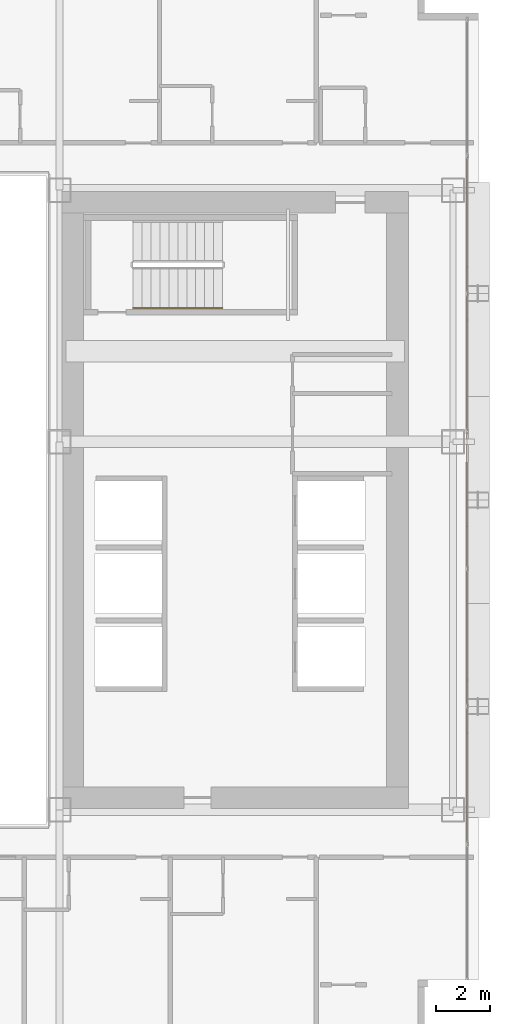
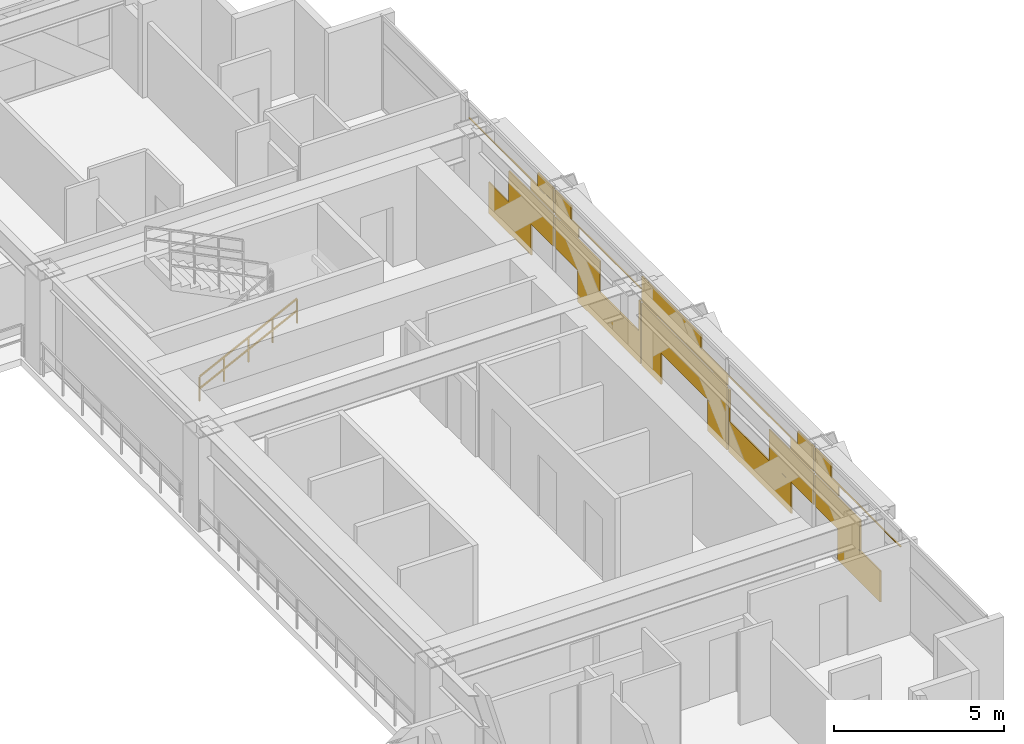
# One storey, part 34 of 35: 1 covering, 1 railing.
"""IFC4 building model written with IfcOpenShell, lengths in metres."""

from ifc_helpers import new_model, si_unit, direction, frame, origin, origin_2d, place, context, subcontext, project, spatial, rectangle, extrude, material, layer, layer_set, type_object, element, save


model = new_model("IFC4")

# Units and contexts
model_context = context("Model", 3, precision=1e-05, world=origin(), true_north=direction((0.0, 1.0)))
body_context = subcontext(model_context, "Body", "Model", "MODEL_VIEW")
ifc_project = project(units=[si_unit("LENGTHUNIT", "METRE"), si_unit("AREAUNIT", "SQUARE_METRE"), si_unit("VOLUMEUNIT", "CUBIC_METRE"), si_unit("PLANEANGLEUNIT", "RADIAN"), si_unit("MASSUNIT", "GRAM", prefix="KILO")], contexts=[model_context])

# Site, building, storey
site_placement = place(None, origin())
site = spatial("IfcSite", under=ifc_project, at=site_placement, CompositionType="ELEMENT")
building_placement = place(site_placement, origin())
building = spatial("IfcBuilding", under=site, at=building_placement, Name="Ocotamira Hotel", CompositionType="ELEMENT")
storey_placement = place(building_placement, frame((0.0, 0.0, 63.60009765625)))
storey = spatial("IfcBuildingStorey", under=building, at=storey_placement, Name="L15", CompositionType="ELEMENT", Elevation=63.60009765625)

# Covering
ifc_material_1 = material(Name="Insulated pale-metal aluminium spandrel panel", Category="aluminium")
ifc_layer = layer(ifc_material_1, 0.044921875)
ifc_layer_set = layer_set([ifc_layer], Name="Insulated pale-metal aluminium spandrel panel")
covering_type = type_object("IfcCoveringType", Name="COV-INFILL-45", PredefinedType="CLADDING", material=ifc_layer_set)
covering_placement = place(storey_placement, origin())
element("IfcCovering", 1, at=covering_placement, inside=storey, type_object=covering_type, Name="L15 Curtain Wall Infill CW-2 CW-L15-E", PredefinedType="CLADDING", context=body_context, shape_type="SweptSolid", body=[
    extrude(rectangle(XDim=2.49658203125, YDim=0.044921875, at=origin_2d()), frame((55.580078125, 15.752685546875, 0.0751953125), z_axis=(0.0, 0.0, 1.0), x_axis=(0.0, 1.0, 0.0)), (0.0, 0.0, 1.0), 1.117919921875),
    extrude(rectangle(XDim=2.640625, YDim=0.044921875, at=origin_2d()), frame((55.580078125, 17.010498046875, 1.194091796875), z_axis=(0.0, 0.0, 1.0), x_axis=(0.0, 1.0, 0.0)), (0.0, 0.0, 1.0), 1.11767578125),
    extrude(rectangle(XDim=5.004638671875, YDim=0.044921875, at=origin_2d()), frame((55.580078125, 15.82861328125, 2.755859375), z_axis=(0.0, 0.0, 1.0), x_axis=(0.0, 1.0, 0.0)), (0.0, 0.0, 1.0), 0.033203125),
    extrude(rectangle(XDim=1.375, YDim=0.044921875, at=origin_2d()), frame((55.580078125, 17.643310546875, 2.3876953125), z_axis=(0.0, 0.0, 1.0), x_axis=(0.0, 1.0, 0.0)), (0.0, 0.0, 1.0), 0.366943359375),
    extrude(rectangle(XDim=0.948486328125, YDim=0.044921875, at=origin_2d()), frame((55.580078125, 17.856689453125, 2.7900390625), z_axis=(0.0, 0.0, 1.0), x_axis=(0.0, 1.0, 0.0)), (0.0, 0.0, 1.0), 0.484130859375),
    extrude(rectangle(XDim=2.631103515625, YDim=0.044921875, at=origin_2d()), frame((55.580078125, 19.727294921875, 1.194091796875), z_axis=(0.0, 0.0, 1.0), x_axis=(0.0, 1.0, 0.0)), (0.0, 0.0, 1.0), 1.11767578125),
    extrude(rectangle(XDim=3.684326171875, YDim=0.044921875, at=origin_2d()), frame((55.580078125, 21.574462890625, 0.0751953125), z_axis=(0.0, 0.0, 1.0), x_axis=(0.0, 1.0, 0.0)), (0.0, 0.0, 1.0), 1.117919921875),
    extrude(rectangle(XDim=0.093017578125, YDim=0.044921875, at=origin_2d()), frame((55.580078125, 23.3701171875, 1.194091796875), z_axis=(0.0, 0.0, 1.0), x_axis=(0.0, 1.0, 0.0)), (0.0, 0.0, 1.0), 1.11767578125),
    extrude(rectangle(XDim=1.365478515625, YDim=0.044921875, at=origin_2d()), frame((55.580078125, 19.094482421875, 2.3876953125), z_axis=(0.0, 0.0, 1.0), x_axis=(0.0, 1.0, 0.0)), (0.0, 0.0, 1.0), 0.366943359375),
    extrude(rectangle(XDim=5.004638671875, YDim=0.044921875, at=origin_2d()), frame((55.580078125, 20.914306640625, 2.755859375), z_axis=(0.0, 0.0, 1.0), x_axis=(0.0, 1.0, 0.0)), (0.0, 0.0, 1.0), 0.033203125),
    extrude(rectangle(XDim=0.93896484375, YDim=0.044921875, at=origin_2d()), frame((55.580078125, 18.88134765625, 2.7900390625), z_axis=(0.0, 0.0, 1.0), x_axis=(0.0, 1.0, 0.0)), (0.0, 0.0, 1.0), 0.484130859375),
    extrude(rectangle(XDim=1.13671875, YDim=0.044921875, at=origin_2d()), frame((55.580078125, 24.06591796875, 0.0751953125), z_axis=(0.0, 0.0, 1.0), x_axis=(0.0, 1.0, 0.0)), (0.0, 0.0, 1.0), 1.117919921875),
    extrude(rectangle(XDim=5.004638671875, YDim=0.044921875, at=origin_2d()), frame((55.580078125, 26.0, 1.194091796875), z_axis=(0.0, 0.0, 1.0), x_axis=(0.0, 1.0, 0.0)), (0.0, 0.0, 1.0), 1.11767578125),
    extrude(rectangle(XDim=1.13671875, YDim=0.044921875, at=origin_2d()), frame((55.580078125, 27.93408203125, 0.0751953125), z_axis=(0.0, 0.0, 1.0), x_axis=(0.0, 1.0, 0.0)), (0.0, 0.0, 1.0), 1.117919921875),
    extrude(rectangle(XDim=5.004638671875, YDim=0.044921875, at=origin_2d()), frame((55.580078125, 26.0, 2.387939453125), z_axis=(0.0, 0.0, 1.0), x_axis=(0.0, 1.0, 0.0)), (0.0, 0.0, 1.0), 0.4013671875),
    extrude(rectangle(XDim=3.486572265625, YDim=0.044921875, at=origin_2d()), frame((55.580078125, 26.759033203125, 2.7900390625), z_axis=(0.0, 0.0, 1.0), x_axis=(0.0, 1.0, 0.0)), (0.0, 0.0, 1.0), 0.484130859375),
    extrude(rectangle(XDim=3.684326171875, YDim=0.044921875, at=origin_2d()), frame((55.580078125, 30.425537109375, 0.0751953125), z_axis=(0.0, 0.0, 1.0), x_axis=(0.0, 1.0, 0.0)), (0.0, 0.0, 1.0), 1.117919921875),
    extrude(rectangle(XDim=0.093017578125, YDim=0.044921875, at=origin_2d()), frame((55.580078125, 28.6298828125, 1.194091796875), z_axis=(0.0, 0.0, 1.0), x_axis=(0.0, 1.0, 0.0)), (0.0, 0.0, 1.0), 1.11767578125),
    extrude(rectangle(XDim=2.631103515625, YDim=0.044921875, at=origin_2d()), frame((55.580078125, 32.272705078125, 1.194091796875), z_axis=(0.0, 0.0, 1.0), x_axis=(0.0, 1.0, 0.0)), (0.0, 0.0, 1.0), 1.11767578125),
    extrude(rectangle(XDim=5.004638671875, YDim=0.044921875, at=origin_2d()), frame((55.580078125, 31.085693359375, 2.755859375), z_axis=(0.0, 0.0, 1.0), x_axis=(0.0, 1.0, 0.0)), (0.0, 0.0, 1.0), 0.033203125),
    extrude(rectangle(XDim=1.365478515625, YDim=0.044921875, at=origin_2d()), frame((55.580078125, 32.905517578125, 2.3876953125), z_axis=(0.0, 0.0, 1.0), x_axis=(0.0, 1.0, 0.0)), (0.0, 0.0, 1.0), 0.366943359375),
    extrude(rectangle(XDim=0.93896484375, YDim=0.044921875, at=origin_2d()), frame((55.580078125, 33.11865234375, 2.7900390625), z_axis=(0.0, 0.0, 1.0), x_axis=(0.0, 1.0, 0.0)), (0.0, 0.0, 1.0), 0.484130859375),
    extrude(rectangle(XDim=2.640625, YDim=0.044921875, at=origin_2d()), frame((55.580078125, 34.989501953125, 1.194091796875), z_axis=(0.0, 0.0, 1.0), x_axis=(0.0, 1.0, 0.0)), (0.0, 0.0, 1.0), 1.11767578125),
    extrude(rectangle(XDim=2.49658203125, YDim=0.044921875, at=origin_2d()), frame((55.580078125, 36.247314453125, 0.0751953125), z_axis=(0.0, 0.0, 1.0), x_axis=(0.0, 1.0, 0.0)), (0.0, 0.0, 1.0), 1.117919921875),
    extrude(rectangle(XDim=1.375, YDim=0.044921875, at=origin_2d()), frame((55.580078125, 34.356689453125, 2.3876953125), z_axis=(0.0, 0.0, 1.0), x_axis=(0.0, 1.0, 0.0)), (0.0, 0.0, 1.0), 0.366943359375),
    extrude(rectangle(XDim=5.004638671875, YDim=0.044921875, at=origin_2d()), frame((55.580078125, 36.17138671875, 2.755859375), z_axis=(0.0, 0.0, 1.0), x_axis=(0.0, 1.0, 0.0)), (0.0, 0.0, 1.0), 0.033203125),
    extrude(rectangle(XDim=0.948486328125, YDim=0.044921875, at=origin_2d()), frame((55.580078125, 34.143310546875, 2.7900390625), z_axis=(0.0, 0.0, 1.0), x_axis=(0.0, 1.0, 0.0)), (0.0, 0.0, 1.0), 0.484130859375),
])

# Railing
ifc_material_2 = material(Name="Brushed stainless steel handrail", Category="steel")
railing_type = type_object("IfcRailingType", Name="RL-HAND-900", PredefinedType="HANDRAIL", material=ifc_material_2)
railing_placement = place(storey_placement, frame((43.22998046875, 33.10009765625, 0.3271484375)))
element("IfcRailing", 2, at=railing_placement, inside=storey, type_object=railing_type, Name="L15 ST-4 stair handrail 1", PredefinedType="HANDRAIL", context=body_context, shape_type="SweptSolid", body=[
    extrude(rectangle(XDim=0.048095703125, YDim=0.048095703125, at=origin_2d()), frame((0.0, 0.0, 0.8759765625), z_axis=(0.895893744519, 0.0, 0.4442683857), x_axis=(0.0, 1.0, 0.0)), (0.0, 0.0, 1.0), 3.68359375),
    extrude(rectangle(XDim=0.048095703125, YDim=0.048095703125, at=origin_2d()), frame((0.0, 0.0, 0.449951171875), z_axis=(0.895893744519, 0.0, 0.4442683857), x_axis=(0.0, 1.0, 0.0)), (0.0, 0.0, 1.0), 3.68359375),
    extrude(rectangle(XDim=0.0419921875, YDim=0.0419921875, at=origin_2d()), origin(), (0.0, 0.0, 1.0), 0.851806640625),
    extrude(rectangle(XDim=0.0419921875, YDim=0.0419921875, at=origin_2d()), frame((0.824951171875, 0.0, 0.4091796875)), (0.0, 0.0, 1.0), 0.851806640625),
    extrude(rectangle(XDim=0.0419921875, YDim=0.0419921875, at=origin_2d()), frame((1.64990234375, 0.0, 0.818359375)), (0.0, 0.0, 1.0), 0.851806640625),
    extrude(rectangle(XDim=0.0419921875, YDim=0.0419921875, at=origin_2d()), frame((2.47509765625, 0.0, 1.227294921875)), (0.0, 0.0, 1.0), 0.851806640625),
    extrude(rectangle(XDim=0.0419921875, YDim=0.0419921875, at=origin_2d()), frame((3.300048828125, 0.0, 1.636474609375)), (0.0, 0.0, 1.0), 0.851806640625),
])

save(model, "model.ifc")
